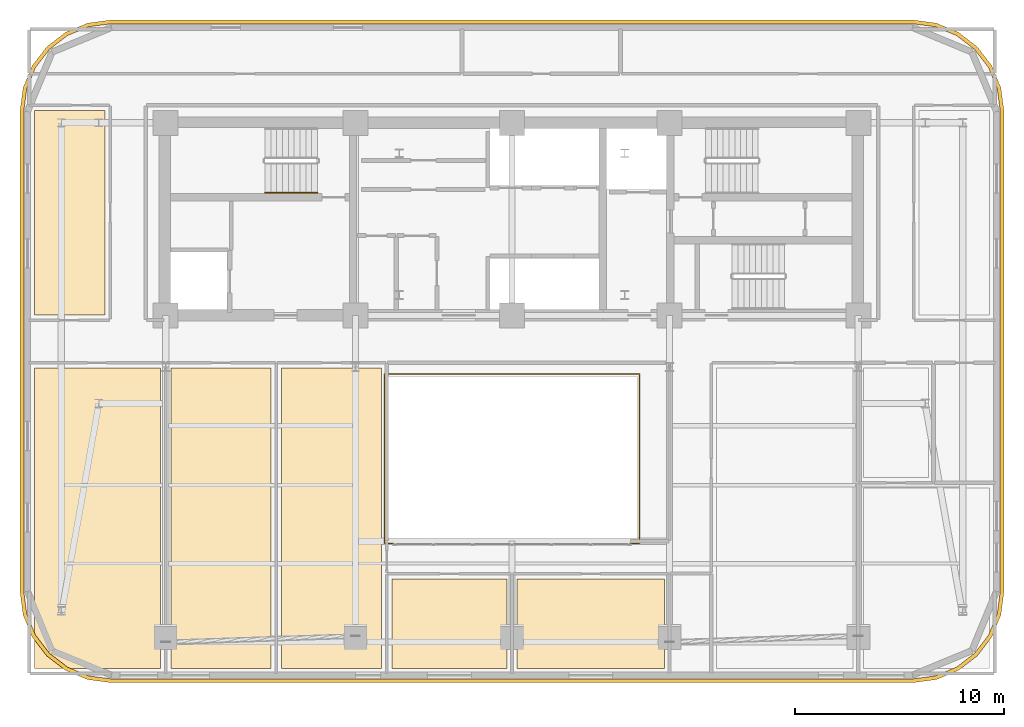
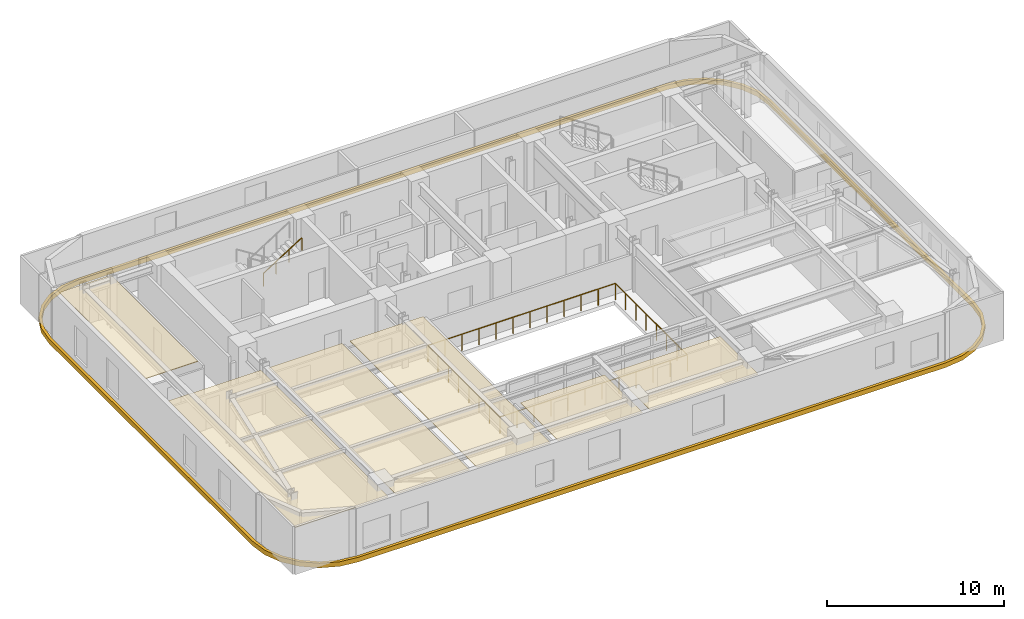
# One storey, part 9 of 11: 7 coverings, 2 railings.
"""IFC4 building model written with IfcOpenShell, lengths in metres."""

from ifc_helpers import new_model, si_unit, direction, frame, origin, origin_2d, place, context, subcontext, project, spatial, polyline, rectangle, outline, extrude, material, layer, layer_set, type_object, element, save


model = new_model("IFC4")

# Units and contexts
model_context = context("Model", 3, precision=1e-05, world=origin(), true_north=direction((0.0, 1.0)))
body_context = subcontext(model_context, "Body", "Model", "MODEL_VIEW")
ifc_project = project(units=[si_unit("LENGTHUNIT", "METRE"), si_unit("AREAUNIT", "SQUARE_METRE"), si_unit("VOLUMEUNIT", "CUBIC_METRE"), si_unit("PLANEANGLEUNIT", "RADIAN"), si_unit("MASSUNIT", "GRAM", prefix="KILO")], contexts=[model_context])

# Site, building, storey
site_placement = place(None, origin())
site = spatial("IfcSite", under=ifc_project, at=site_placement, CompositionType="ELEMENT")
building_placement = place(site_placement, origin())
building = spatial("IfcBuilding", under=site, at=building_placement, Name="Zarnavel Station Tower", CompositionType="ELEMENT")
storey_placement = place(building_placement, frame((0.0, 0.0, 151.89990234375)))
storey = spatial("IfcBuildingStorey", under=building, at=storey_placement, Name="L41", CompositionType="ELEMENT", Elevation=151.89990234375)

# Coverings
ifc_material_1 = material(Name="Perforated Gypsum and Mineral-Wool Acoustic Ceiling", Category="concrete")
ifc_layer = layer(ifc_material_1, 0.0400390625)
ifc_layer_set = layer_set([ifc_layer], Name="COV_CEIL_ACOUSTIC")
covering_type_1 = type_object("IfcCoveringType", Name="COV_CEIL_ACOUSTIC", PredefinedType="CEILING", material=ifc_layer_set)
covering_1_placement = place(storey_placement, frame((0.0, 0.0, 2.97021484375)))
element("IfcCovering", 1, at=covering_1_placement, inside=storey, type_object=covering_type_1, Name="L41 FNW Acoustic Ceiling", PredefinedType="CEILING", context=body_context, shape_type="SweptSolid", body=[
    extrude(outline(polyline([(5.909912109375, 27.85009765625), (9.300048828125, 27.85009765625), (9.300048828125, 37.64990234375), (5.909912109375, 37.64990234375), (5.909912109375, 27.85009765625)])), origin(), (0.0, 0.0, 1.0), 0.039794921875),
])
covering_2_placement = place(storey_placement, frame((0.0, 0.0, 2.97021484375)))
element("IfcCovering", 2, at=covering_2_placement, inside=storey, type_object=covering_type_1, Name="L41 L41LIB Acoustic Ceiling", PredefinedType="CEILING", context=body_context, shape_type="SweptSolid", body=[
    extrude(outline(polyline([(5.909912109375, 10.909912109375), (11.949951171875, 10.909912109375), (11.949951171875, 25.300048828125), (5.909912109375, 25.300048828125), (5.909912109375, 10.909912109375)])), origin(), (0.0, 0.0, 1.0), 0.039794921875),
])
covering_3_placement = place(storey_placement, frame((0.0, 0.0, 2.97021484375)))
element("IfcCovering", 3, at=covering_3_placement, inside=storey, type_object=covering_type_1, Name="L41 L41BRD Acoustic Ceiling", PredefinedType="CEILING", context=body_context, shape_type="SweptSolid", body=[
    extrude(outline(polyline([(12.449951171875, 10.909912109375), (17.25, 10.909912109375), (17.25, 25.300048828125), (12.449951171875, 25.300048828125), (12.449951171875, 10.909912109375)])), origin(), (0.0, 0.0, 1.0), 0.039794921875),
])
covering_4_placement = place(storey_placement, frame((0.0, 0.0, 2.97021484375)))
element("IfcCovering", 4, at=covering_4_placement, inside=storey, type_object=covering_type_1, Name="L41 L41OFF Acoustic Ceiling", PredefinedType="CEILING", context=body_context, shape_type="SweptSolid", body=[
    extrude(outline(polyline([(17.75, 10.909912109375), (22.550048828125, 10.909912109375), (22.550048828125, 25.300048828125), (17.75, 25.300048828125), (17.75, 10.909912109375)])), origin(), (0.0, 0.0, 1.0), 0.039794921875),
])
covering_5_placement = place(storey_placement, frame((0.0, 0.0, 2.97021484375)))
element("IfcCovering", 5, at=covering_5_placement, inside=storey, type_object=covering_type_1, Name="L41 L41TEA Acoustic Ceiling", PredefinedType="CEILING", context=body_context, shape_type="SweptSolid", body=[
    extrude(outline(polyline([(23.050048828125, 10.909912109375), (28.550048828125, 10.909912109375), (28.550048828125, 15.199951171875), (23.050048828125, 15.199951171875), (23.050048828125, 10.909912109375)])), origin(), (0.0, 0.0, 1.0), 0.039794921875),
])
covering_6_placement = place(storey_placement, frame((0.0, 0.0, 2.97021484375)))
element("IfcCovering", 6, at=covering_6_placement, inside=storey, type_object=covering_type_1, Name="L41 L41BAR Acoustic Ceiling", PredefinedType="CEILING", context=body_context, shape_type="SweptSolid", body=[
    extrude(outline(polyline([(29.050048828125, 10.909912109375), (36.10009765625, 10.909912109375), (36.10009765625, 15.199951171875), (29.050048828125, 15.199951171875), (29.050048828125, 10.909912109375)])), origin(), (0.0, 0.0, 1.0), 0.039794921875),
])
ifc_material_2 = material(Name="Precast concrete C45/55 (Pale Travertine Slab Band)", Category="masonry")
covering_type_2 = type_object("IfcCoveringType", Name="COV_TRAVERTINE_BAND", PredefinedType="CLADDING", material=ifc_material_2)
covering_7_placement = place(storey_placement, frame((0.0, 0.0, -0.260009765625)))
element("IfcCovering", 7, at=covering_7_placement, inside=storey, type_object=covering_type_2, Name="L41 Pale Travertine Slab-Edge Band", PredefinedType="CLADDING", context=body_context, shape_type="SweptSolid", body=[
    extrude(outline(polyline([(48.0, 10.219970703125), (49.133544921875, 10.369140625), (50.18994140625, 10.806884765625), (51.09716796875, 11.5029296875), (51.793212890625, 12.409912109375), (52.230712890625, 13.46630859375), (52.3798828125, 14.60009765625), (52.3798828125, 37.60009765625), (52.230712890625, 38.733642578125), (51.793212890625, 39.7900390625), (51.09716796875, 40.697021484375), (50.18994140625, 41.393310546875), (49.133544921875, 41.830810546875), (48.0, 41.97998046875), (9.60009765625, 41.97998046875), (8.46630859375, 41.830810546875), (7.409912109375, 41.393310546875), (6.5029296875, 40.697021484375), (5.806884765625, 39.7900390625), (5.369140625, 38.733642578125), (5.219970703125, 37.60009765625), (5.219970703125, 14.60009765625), (5.369140625, 13.46630859375), (5.806884765625, 12.409912109375), (6.5029296875, 11.5029296875), (7.409912109375, 10.806884765625), (8.46630859375, 10.369140625), (9.60009765625, 10.219970703125), (48.0, 10.219970703125)]), holes=[polyline([(48.0, 10.39990234375), (49.0869140625, 10.543212890625), (50.10009765625, 10.962646484375), (50.9697265625, 11.630126953125), (51.63720703125, 12.5), (52.056884765625, 13.512939453125), (52.199951171875, 14.60009765625), (52.199951171875, 37.60009765625), (52.056884765625, 38.68701171875), (51.63720703125, 39.699951171875), (50.9697265625, 40.56982421875), (50.10009765625, 41.2373046875), (49.0869140625, 41.656982421875), (48.0, 41.800048828125), (9.60009765625, 41.800048828125), (8.512939453125, 41.656982421875), (7.5, 41.2373046875), (6.630126953125, 40.56982421875), (5.962646484375, 39.699951171875), (5.543212890625, 38.68701171875), (5.39990234375, 37.60009765625), (5.39990234375, 14.60009765625), (5.543212890625, 13.512939453125), (5.962646484375, 12.5), (6.630126953125, 11.630126953125), (7.5, 10.962646484375), (8.512939453125, 10.543212890625), (9.60009765625, 10.39990234375), (48.0, 10.39990234375)])]), origin(), (0.0, 0.0, 1.0), 0.320068359375),
])

# Railings
ifc_material_3 = material(Name="Painted Steel S355J2 Balustrade", Category="steel")
railing_type_1 = type_object("IfcRailingType", Name="GR_INT_1150", PredefinedType="GUARDRAIL", material=ifc_material_3)
railing_1_placement = place(storey_placement, frame((22.679931640625, 16.8798828125, 0.0)))
element("IfcRailing", 8, at=railing_1_placement, inside=storey, type_object=railing_type_1, Name="L41 Atrium Void Guardrail", PredefinedType="GUARDRAIL", context=body_context, shape_type="SweptSolid", body=[
    extrude(rectangle(XDim=0.048095703125, YDim=0.048095703125, at=origin_2d()), frame((0.001953125, 0.0, 1.1259765625), z_axis=(1.0, 0.0, 0.0), x_axis=(0.0, 1.0, 0.0)), (0.0, 0.0, 1.0), 12.236083984375),
    extrude(rectangle(XDim=0.048095703125, YDim=0.048095703125, at=origin_2d()), frame((12.239990234375, 0.001953125, 1.1259765625), z_axis=(0.0, 1.0, 0.0), x_axis=(-1.0, 0.0, 0.0)), (0.0, 0.0, 1.0), 8.13623046875),
    extrude(rectangle(XDim=0.048095703125, YDim=0.048095703125, at=origin_2d()), frame((12.238037109375, 8.14013671875, 1.1259765625), z_axis=(-1.0, 0.0, 0.0), x_axis=(0.0, -1.0, 0.0)), (0.0, 0.0, 1.0), 12.236083984375),
    extrude(rectangle(XDim=0.048095703125, YDim=0.048095703125, at=origin_2d()), frame((0.0, 8.13818359375, 1.1259765625), z_axis=(0.0, -1.0, 0.0), x_axis=(1.0, 0.0, 0.0)), (0.0, 0.0, 1.0), 8.13623046875),
    extrude(rectangle(XDim=0.0419921875, YDim=0.0419921875, at=origin_2d()), origin(), (0.0, 0.0, 1.0), 1.101806640625),
    extrude(rectangle(XDim=0.0419921875, YDim=0.0419921875, at=origin_2d()), frame((1.11279296875, 0.0, 0.0)), (0.0, 0.0, 1.0), 1.101806640625),
    extrude(rectangle(XDim=0.0419921875, YDim=0.0419921875, at=origin_2d()), frame((2.225341796875, 0.0, 0.0)), (0.0, 0.0, 1.0), 1.101806640625),
    extrude(rectangle(XDim=0.0419921875, YDim=0.0419921875, at=origin_2d()), frame((3.338134765625, 0.0, 0.0)), (0.0, 0.0, 1.0), 1.101806640625),
    extrude(rectangle(XDim=0.0419921875, YDim=0.0419921875, at=origin_2d()), frame((4.450927734375, 0.0, 0.0)), (0.0, 0.0, 1.0), 1.101806640625),
    extrude(rectangle(XDim=0.0419921875, YDim=0.0419921875, at=origin_2d()), frame((5.563720703125, 0.0, 0.0)), (0.0, 0.0, 1.0), 1.101806640625),
    extrude(rectangle(XDim=0.0419921875, YDim=0.0419921875, at=origin_2d()), frame((6.67626953125, 0.0, 0.0)), (0.0, 0.0, 1.0), 1.101806640625),
    extrude(rectangle(XDim=0.0419921875, YDim=0.0419921875, at=origin_2d()), frame((7.7890625, 0.0, 0.0)), (0.0, 0.0, 1.0), 1.101806640625),
    extrude(rectangle(XDim=0.0419921875, YDim=0.0419921875, at=origin_2d()), frame((8.90185546875, 0.0, 0.0)), (0.0, 0.0, 1.0), 1.101806640625),
    extrude(rectangle(XDim=0.0419921875, YDim=0.0419921875, at=origin_2d()), frame((10.0146484375, 0.0, 0.0)), (0.0, 0.0, 1.0), 1.101806640625),
    extrude(rectangle(XDim=0.0419921875, YDim=0.0419921875, at=origin_2d()), frame((11.127197265625, 0.0, 0.0)), (0.0, 0.0, 1.0), 1.101806640625),
    extrude(rectangle(XDim=0.0419921875, YDim=0.0419921875, at=origin_2d()), frame((12.239990234375, 0.0, 0.0)), (0.0, 0.0, 1.0), 1.101806640625),
    extrude(rectangle(XDim=0.0419921875, YDim=0.0419921875, at=origin_2d()), frame((12.239990234375, 1.162841796875, 0.0)), (0.0, 0.0, 1.0), 1.101806640625),
    extrude(rectangle(XDim=0.0419921875, YDim=0.0419921875, at=origin_2d()), frame((12.239990234375, 2.32568359375, 0.0)), (0.0, 0.0, 1.0), 1.101806640625),
    extrude(rectangle(XDim=0.0419921875, YDim=0.0419921875, at=origin_2d()), frame((12.239990234375, 3.488525390625, 0.0)), (0.0, 0.0, 1.0), 1.101806640625),
    extrude(rectangle(XDim=0.0419921875, YDim=0.0419921875, at=origin_2d()), frame((12.239990234375, 4.651611328125, 0.0)), (0.0, 0.0, 1.0), 1.101806640625),
    extrude(rectangle(XDim=0.0419921875, YDim=0.0419921875, at=origin_2d()), frame((12.239990234375, 5.814453125, 0.0)), (0.0, 0.0, 1.0), 1.101806640625),
    extrude(rectangle(XDim=0.0419921875, YDim=0.0419921875, at=origin_2d()), frame((12.239990234375, 6.977294921875, 0.0)), (0.0, 0.0, 1.0), 1.101806640625),
    extrude(rectangle(XDim=0.0419921875, YDim=0.0419921875, at=origin_2d()), frame((12.239990234375, 8.14013671875, 0.0)), (0.0, 0.0, 1.0), 1.101806640625),
    extrude(rectangle(XDim=0.0419921875, YDim=0.0419921875, at=origin_2d()), frame((11.127197265625, 8.14013671875, 0.0)), (0.0, 0.0, 1.0), 1.101806640625),
    extrude(rectangle(XDim=0.0419921875, YDim=0.0419921875, at=origin_2d()), frame((10.0146484375, 8.14013671875, 0.0)), (0.0, 0.0, 1.0), 1.101806640625),
    extrude(rectangle(XDim=0.0419921875, YDim=0.0419921875, at=origin_2d()), frame((8.90185546875, 8.14013671875, 0.0)), (0.0, 0.0, 1.0), 1.101806640625),
    extrude(rectangle(XDim=0.0419921875, YDim=0.0419921875, at=origin_2d()), frame((7.7890625, 8.14013671875, 0.0)), (0.0, 0.0, 1.0), 1.101806640625),
    extrude(rectangle(XDim=0.0419921875, YDim=0.0419921875, at=origin_2d()), frame((6.67626953125, 8.14013671875, 0.0)), (0.0, 0.0, 1.0), 1.101806640625),
    extrude(rectangle(XDim=0.0419921875, YDim=0.0419921875, at=origin_2d()), frame((5.563720703125, 8.14013671875, 0.0)), (0.0, 0.0, 1.0), 1.101806640625),
    extrude(rectangle(XDim=0.0419921875, YDim=0.0419921875, at=origin_2d()), frame((4.450927734375, 8.14013671875, 0.0)), (0.0, 0.0, 1.0), 1.101806640625),
    extrude(rectangle(XDim=0.0419921875, YDim=0.0419921875, at=origin_2d()), frame((3.338134765625, 8.14013671875, 0.0)), (0.0, 0.0, 1.0), 1.101806640625),
    extrude(rectangle(XDim=0.0419921875, YDim=0.0419921875, at=origin_2d()), frame((2.225341796875, 8.14013671875, 0.0)), (0.0, 0.0, 1.0), 1.101806640625),
    extrude(rectangle(XDim=0.0419921875, YDim=0.0419921875, at=origin_2d()), frame((1.11279296875, 8.14013671875, 0.0)), (0.0, 0.0, 1.0), 1.101806640625),
    extrude(rectangle(XDim=0.0419921875, YDim=0.0419921875, at=origin_2d()), frame((0.0, 8.14013671875, 0.0)), (0.0, 0.0, 1.0), 1.101806640625),
    extrude(rectangle(XDim=0.0419921875, YDim=0.0419921875, at=origin_2d()), frame((0.0, 6.977294921875, 0.0)), (0.0, 0.0, 1.0), 1.101806640625),
    extrude(rectangle(XDim=0.0419921875, YDim=0.0419921875, at=origin_2d()), frame((0.0, 5.814453125, 0.0)), (0.0, 0.0, 1.0), 1.101806640625),
    extrude(rectangle(XDim=0.0419921875, YDim=0.0419921875, at=origin_2d()), frame((0.0, 4.651611328125, 0.0)), (0.0, 0.0, 1.0), 1.101806640625),
    extrude(rectangle(XDim=0.0419921875, YDim=0.0419921875, at=origin_2d()), frame((0.0, 3.488525390625, 0.0)), (0.0, 0.0, 1.0), 1.101806640625),
    extrude(rectangle(XDim=0.0419921875, YDim=0.0419921875, at=origin_2d()), frame((0.0, 2.32568359375, 0.0)), (0.0, 0.0, 1.0), 1.101806640625),
    extrude(rectangle(XDim=0.0419921875, YDim=0.0419921875, at=origin_2d()), frame((0.0, 1.162841796875, 0.0)), (0.0, 0.0, 1.0), 1.101806640625),
])
ifc_material_4 = material(Name="Brushed Stainless Steel S355J2 Handrail", Category="steel")
railing_type_2 = type_object("IfcRailingType", Name="HR_STAIR_900", PredefinedType="HANDRAIL", material=ifc_material_4)
railing_2_placement = place(storey_placement, frame((16.9599609375, 33.7099609375, 1.95263671875)))
element("IfcRailing", 9, at=railing_2_placement, inside=storey, type_object=railing_type_2, Name="L41 ST1 stair handrail 2", PredefinedType="HANDRAIL", context=body_context, shape_type="SweptSolid", body=[
    extrude(rectangle(XDim=0.048095703125, YDim=0.048095703125, at=origin_2d()), frame((0.001708984375, 0.0, 0.876953125), z_axis=(0.84460694969, 0.0, 0.535386869969), x_axis=(0.0, 1.0, 0.0)), (0.0, 0.0, 1.0), 2.979736328125),
    extrude(rectangle(XDim=0.0419921875, YDim=0.0419921875, at=origin_2d()), origin(), (0.0, 0.0, 1.0), 0.851806640625),
    extrude(rectangle(XDim=0.0419921875, YDim=0.0419921875, at=origin_2d()), frame((0.840087890625, 0.0, 0.532470703125)), (0.0, 0.0, 1.0), 0.851806640625),
    extrude(rectangle(XDim=0.0419921875, YDim=0.0419921875, at=origin_2d()), frame((1.679931640625, 0.0, 1.06494140625)), (0.0, 0.0, 1.0), 0.851806640625),
    extrude(rectangle(XDim=0.0419921875, YDim=0.0419921875, at=origin_2d()), frame((2.52001953125, 0.0, 1.597412109375)), (0.0, 0.0, 1.0), 0.851806640625),
])

save(model, "model.ifc")
